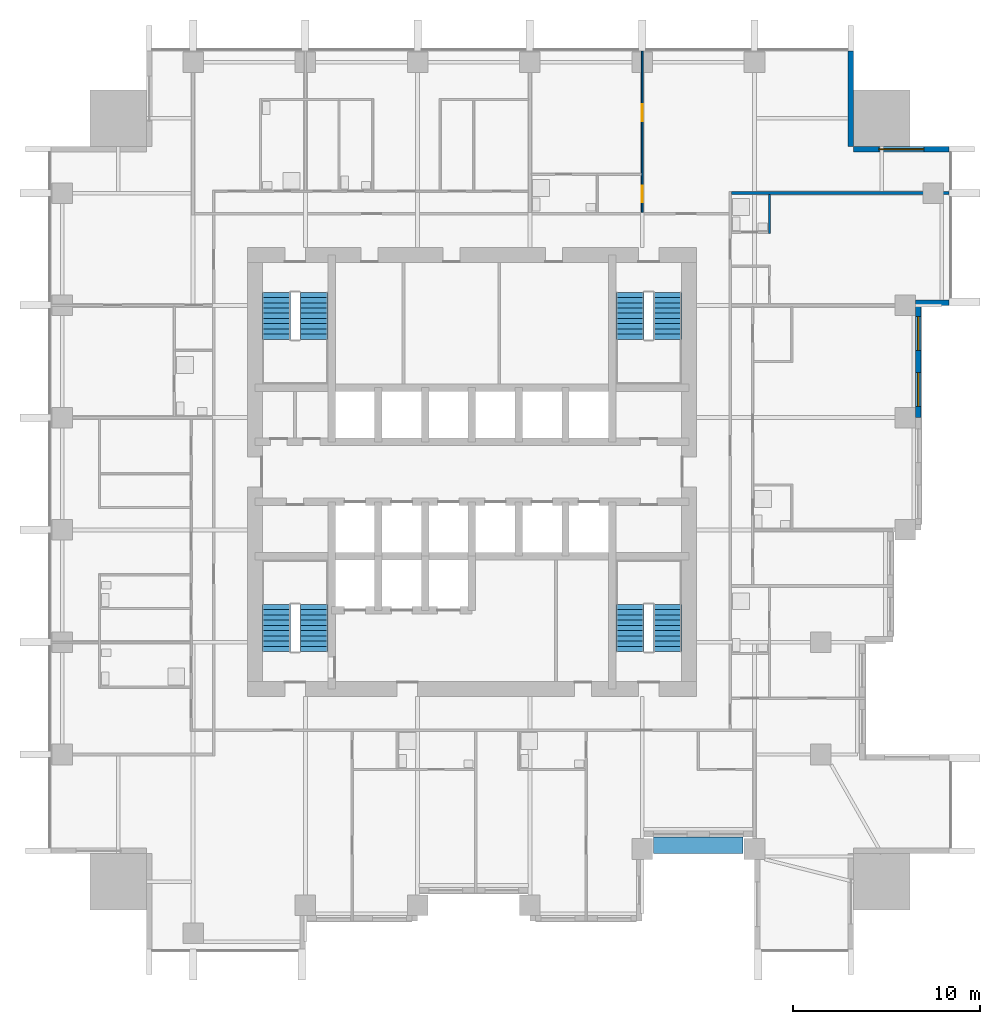
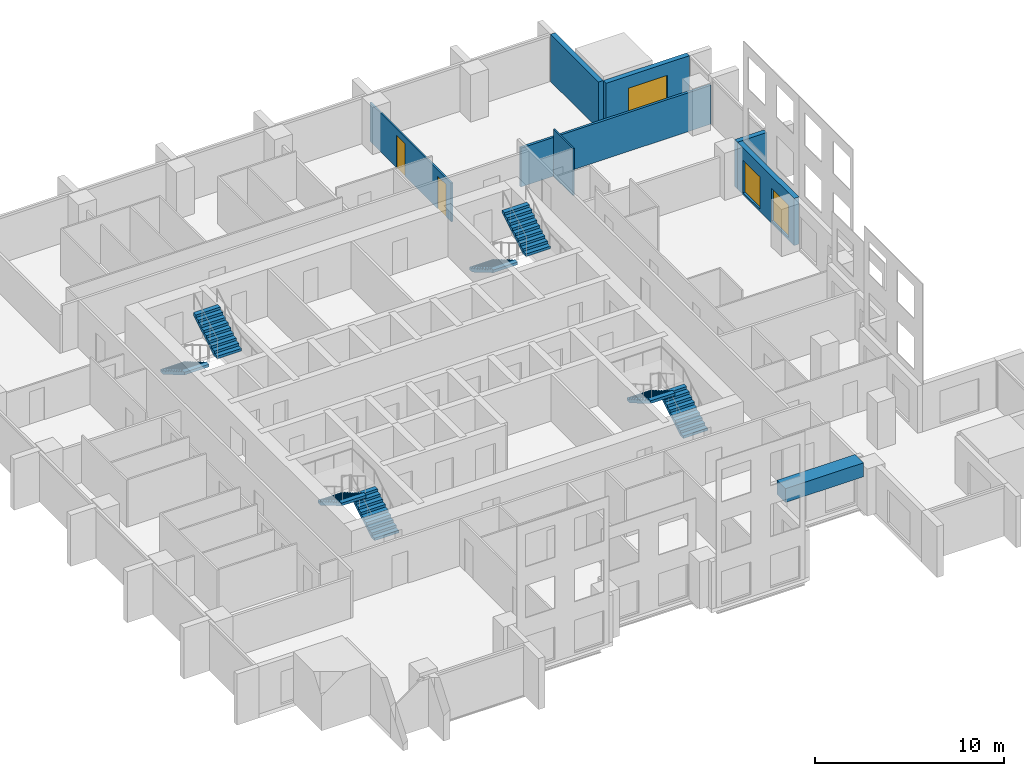
# One storey, part 8 of 11: 8 stair flights, 7 walls, 3 windows, 2 doors, 1 discrete accessory, 5 openings, 4 elements without a shape of their own.
"""IFC4 building model written with IfcOpenShell, lengths in metres."""

from ifc_helpers import new_model, si_unit, direction, frame, frame_2d, origin, origin_2d, place, context, subcontext, project, spatial, polyline, rectangle, outline, extrude, material, layer, layer_set, type_object, element, fill, aggregate, save


model = new_model("IFC4")

# Units and contexts
model_context = context("Model", 3, precision=1e-05, world=origin(), true_north=direction((0.0, 1.0)))
body_context = subcontext(model_context, "Body", "Model", "MODEL_VIEW")
ifc_project = project(units=[si_unit("LENGTHUNIT", "METRE"), si_unit("AREAUNIT", "SQUARE_METRE"), si_unit("VOLUMEUNIT", "CUBIC_METRE"), si_unit("PLANEANGLEUNIT", "RADIAN"), si_unit("MASSUNIT", "GRAM", prefix="KILO")], contexts=[model_context])

# Site, building, storey
site_placement = place(None, origin())
site = spatial("IfcSite", under=ifc_project, at=site_placement, CompositionType="ELEMENT")
building_placement = place(site_placement, origin())
building = spatial("IfcBuilding", under=site, at=building_placement, Name="Amberfall Residences", CompositionType="ELEMENT")
storey_placement = place(building_placement, frame((0.0, 0.0, 115.0)))
storey = spatial("IfcBuildingStorey", under=building, at=storey_placement, Name="L31", CompositionType="ELEMENT", Elevation=115.0)

# Wall
ifc_material_1 = material(Name="Pale stone cladding on insulated backing", Category="masonry")
ifc_layer_1 = layer(ifc_material_1, 0.300048828125)
ifc_layer_set_1 = layer_set([ifc_layer_1], Name="Bronze clad wall 300")
wall_type_1 = type_object("IfcWallType", Name="Bronze clad wall 300", PredefinedType="SOLIDWALL", material=ifc_layer_set_1)
wall_1_placement = place(storey_placement, frame((98.199951171875, 54.550048828125, 0.0), z_axis=(0.0, 0.0, 1.0), x_axis=(1.0, 0.0, 0.0)))
element("IfcWall", 1, at=wall_1_placement, inside=storey, type_object=wall_type_1, Name="External wall L31 E", PredefinedType="SOLIDWALL", context=body_context, shape_type="SweptSolid", body=[
    extrude(rectangle(XDim=1.800048828125, YDim=0.300048828125, at=frame_2d((0.89990234375, 0.0))), origin(), (0.0, 0.0, 1.0), 3.050048828125),
])

# Wall, opening, window
wall_2_placement = place(storey_placement, frame((100.0, 62.75, 0.0), z_axis=(0.0, 0.0, 1.0), x_axis=(-1.0, 0.0, 0.0)))
wall_2 = element("IfcWall", 2, at=wall_2_placement, inside=storey, type_object=wall_type_1, Name="External wall L31 NE", PredefinedType="SOLIDWALL", context=body_context, shape_type="SweptSolid", body=[
    extrude(rectangle(XDim=5.10009765625, YDim=0.300048828125, at=frame_2d((2.550048828125, 0.0))), origin(), (0.0, 0.0, 1.0), 3.050048828125),
])
opening_1_placement = place(wall_2_placement, frame((1.35009765625, 0.0, 0.14990234375)))
opening_1 = element("IfcOpeningElement", 3, at=opening_1_placement, cuts=wall_2, Name="Opening WN5", PredefinedType="OPENING", context=body_context, shape_type="SweptSolid", body=[
    extrude(rectangle(XDim=2.39990234375, YDim=2.10009765625, at=frame_2d((1.199951171875, 1.050048828125))), frame((0.0, 0.159912109375, 0.0), z_axis=(0.0, -1.0, 0.0), x_axis=(1.0, 0.0, 0.0)), (0.0, 0.0, 1.0), 0.320068359375),
])
ifc_material_2 = material(Name="Bronze aluminium framed glazing", Category="aluminium")
window_type_1 = type_object("IfcWindowType", Name="Glazed opening 2400 x 2100 bronze", PartitioningType="DOUBLE_PANEL_VERTICAL", PredefinedType="WINDOW", material=ifc_material_2)
window_1_placement = place(opening_1_placement, origin())
window_1 = element("IfcWindow", 4, at=window_1_placement, inside=storey, type_object=window_type_1, Name="Window L31 NE", OverallHeight=2.10009765625, OverallWidth=2.39990234375, PartitioningType="DOUBLE_PANEL_VERTICAL", PredefinedType="WINDOW", context=body_context, shape_type="SweptSolid", body=[
    extrude(rectangle(XDim=2.39990234375, YDim=2.10009765625, at=frame_2d((1.199951171875, 1.050048828125))), frame((0.0, 0.030029296875, 0.0), z_axis=(0.0, -1.0, 0.0), x_axis=(1.0, 0.0, 0.0)), (0.0, 0.0, 1.0), 0.06005859375),
])
fill(opening_1, window_1)

# Wall
wall_3_placement = place(storey_placement, frame((94.75, 62.89990234375, 0.0), z_axis=(0.0, 0.0, 1.0), x_axis=(0.0, 1.0, 0.0)))
element("IfcWall", 5, at=wall_3_placement, inside=storey, type_object=wall_type_1, Name="External wall L31 NE", PredefinedType="SOLIDWALL", context=body_context, shape_type="SweptSolid", body=[
    extrude(rectangle(XDim=5.10009765625, YDim=0.300048828125, at=frame_2d((2.550048828125, 0.0))), origin(), (0.0, 0.0, 1.0), 3.050048828125),
])

# Wall, openings, windows
wall_4_placement = place(storey_placement, frame((98.35009765625, 48.39990234375, 0.0), z_axis=(0.0, 0.0, 1.0), x_axis=(0.0, 1.0, 0.0)))
wall_4 = element("IfcWall", 6, at=wall_4_placement, inside=storey, type_object=wall_type_1, Name="Stone wall L31 E", PredefinedType="SOLIDWALL", context=body_context, shape_type="SweptSolid", body=[
    extrude(rectangle(XDim=6.0, YDim=0.300048828125, at=frame_2d((3.0, 0.0))), origin(), (0.0, 0.0, 1.0), 3.050048828125),
])
opening_2_placement = place(wall_4_placement, frame((0.60009765625, 0.0, 0.14990234375)))
opening_2 = element("IfcOpeningElement", 7, at=opening_2_placement, cuts=wall_4, Name="Opening WN6", PredefinedType="OPENING", context=body_context, shape_type="SweptSolid", body=[
    extrude(rectangle(XDim=1.800048828125, YDim=2.10009765625, at=frame_2d((0.89990234375, 1.050048828125))), frame((0.0, 0.159912109375, 0.0), z_axis=(0.0, -1.0, 0.0), x_axis=(1.0, 0.0, 0.0)), (0.0, 0.0, 1.0), 0.320068359375),
])
opening_3_placement = place(wall_4_placement, frame((3.60009765625, 0.0, 0.14990234375)))
opening_3 = element("IfcOpeningElement", 8, at=opening_3_placement, cuts=wall_4, Name="Opening WN6", PredefinedType="OPENING", context=body_context, shape_type="SweptSolid", body=[
    extrude(rectangle(XDim=1.800048828125, YDim=2.10009765625, at=frame_2d((0.89990234375, 1.050048828125))), frame((0.0, 0.159912109375, 0.0), z_axis=(0.0, -1.0, 0.0), x_axis=(1.0, 0.0, 0.0)), (0.0, 0.0, 1.0), 0.320068359375),
])
window_type_2 = type_object("IfcWindowType", Name="Glazed opening 1800 x 2100 bronze", PartitioningType="DOUBLE_PANEL_VERTICAL", PredefinedType="WINDOW", material=ifc_material_2)
window_2_placement = place(opening_2_placement, origin())
window_2 = element("IfcWindow", 9, at=window_2_placement, inside=storey, type_object=window_type_2, Name="Window L31 E", OverallHeight=2.10009765625, OverallWidth=1.800048828125, PartitioningType="DOUBLE_PANEL_VERTICAL", PredefinedType="WINDOW", context=body_context, shape_type="SweptSolid", body=[
    extrude(rectangle(XDim=1.800048828125, YDim=2.10009765625, at=frame_2d((0.89990234375, 1.050048828125))), frame((0.0, 0.030029296875, 0.0), z_axis=(0.0, -1.0, 0.0), x_axis=(1.0, 0.0, 0.0)), (0.0, 0.0, 1.0), 0.06005859375),
])
fill(opening_2, window_2)
window_3_placement = place(opening_3_placement, origin())
window_3 = element("IfcWindow", 10, at=window_3_placement, inside=storey, type_object=window_type_2, Name="Window L31 E", OverallHeight=2.10009765625, OverallWidth=1.800048828125, PartitioningType="DOUBLE_PANEL_VERTICAL", PredefinedType="WINDOW", context=body_context, shape_type="SweptSolid", body=[
    extrude(rectangle(XDim=1.800048828125, YDim=2.10009765625, at=frame_2d((0.89990234375, 1.050048828125))), frame((0.0, 0.030029296875, 0.0), z_axis=(0.0, -1.0, 0.0), x_axis=(1.0, 0.0, 0.0)), (0.0, 0.0, 1.0), 0.06005859375),
])
fill(opening_3, window_3)

# Wall, openings, doors
ifc_material_3 = material(Name="Gypsum board on metal stud")
ifc_layer_2 = layer(ifc_material_3, 0.10009765625)
ifc_layer_set_2 = layer_set([ifc_layer_2], Name="Flat partition 100")
wall_type_2 = type_object("IfcWallType", Name="Flat partition 100", PredefinedType="PARTITIONING", material=ifc_layer_set_2)
wall_5_placement = place(storey_placement, frame((83.60009765625, 59.375, 0.0), z_axis=(0.0, 0.0, 1.0), x_axis=(0.0, 1.0, 0.0)))
wall_5 = element("IfcWall", 11, at=wall_5_placement, inside=storey, type_object=wall_type_2, Name="Partition 017", PredefinedType="PARTITIONING", context=body_context, shape_type="SweptSolid", body=[
    extrude(rectangle(XDim=8.625, YDim=0.10009765625, at=frame_2d((4.3125, 0.0))), origin(), (0.0, 0.0, 1.0), 2.51611328125),
])
opening_4_placement = place(wall_5_placement, frame((0.52490234375, 0.0, 0.0)))
opening_4 = element("IfcOpeningElement", 12, at=opening_4_placement, cuts=wall_5, Name="Opening D41", PredefinedType="OPENING", context=body_context, shape_type="SweptSolid", body=[
    extrude(rectangle(XDim=0.89990234375, YDim=2.10009765625, at=frame_2d((0.449951171875, 1.050048828125))), frame((0.0, 0.06005859375, 0.0), z_axis=(0.0, -1.0, 0.0), x_axis=(1.0, 0.0, 0.0)), (0.0, 0.0, 1.0), 0.1201171875),
])
opening_5_placement = place(wall_5_placement, frame((4.875, 0.0, 0.0)))
opening_5 = element("IfcOpeningElement", 13, at=opening_5_placement, cuts=wall_5, Name="Opening D41", PredefinedType="OPENING", context=body_context, shape_type="SweptSolid", body=[
    extrude(rectangle(XDim=0.89990234375, YDim=2.10009765625, at=frame_2d((0.449951171875, 1.050048828125))), frame((0.0, 0.06005859375, 0.0), z_axis=(0.0, -1.0, 0.0), x_axis=(1.0, 0.0, 0.0)), (0.0, 0.0, 1.0), 0.1201171875),
])
ifc_material_4 = material(Name="Timber", Category="wood")
door_type = type_object("IfcDoorType", Name="Internal door 900 x 2100", OperationType="SINGLE_SWING_LEFT", PredefinedType="DOOR", material=ifc_material_4)
door_1_placement = place(opening_4_placement, origin())
door_1 = element("IfcDoor", 14, at=door_1_placement, inside=storey, type_object=door_type, Name="Door 3107 kitchen", OperationType="SINGLE_SWING_LEFT", OverallHeight=2.10009765625, OverallWidth=0.89990234375, PredefinedType="DOOR", context=body_context, shape_type="SweptSolid", body=[
    extrude(rectangle(XDim=0.89990234375, YDim=2.10009765625, at=frame_2d((0.449951171875, 1.050048828125))), frame((0.0, 0.02490234375, 0.0), z_axis=(0.0, -1.0, 0.0), x_axis=(1.0, 0.0, 0.0)), (0.0, 0.0, 1.0), 0.050048828125),
])
fill(opening_4, door_1)
door_2_placement = place(opening_5_placement, origin())
door_2 = element("IfcDoor", 15, at=door_2_placement, inside=storey, type_object=door_type, Name="Door 3107 bedroom1", OperationType="SINGLE_SWING_LEFT", OverallHeight=2.10009765625, OverallWidth=0.89990234375, PredefinedType="DOOR", context=body_context, shape_type="SweptSolid", body=[
    extrude(rectangle(XDim=0.89990234375, YDim=2.10009765625, at=frame_2d((0.449951171875, 1.050048828125))), frame((0.0, 0.02490234375, 0.0), z_axis=(0.0, -1.0, 0.0), x_axis=(1.0, 0.0, 0.0)), (0.0, 0.0, 1.0), 0.050048828125),
])
fill(opening_5, door_2)

# Walls
wall_6_placement = place(storey_placement, frame((90.39990234375, 58.25, 0.0), z_axis=(0.0, 0.0, 1.0), x_axis=(0.0, 1.0, 0.0)))
element("IfcWall", 16, at=wall_6_placement, inside=storey, type_object=wall_type_2, Name="Partition 022", PredefinedType="PARTITIONING", context=body_context, shape_type="SweptSolid", body=[
    extrude(rectangle(XDim=2.074951171875, YDim=0.10009765625, at=frame_2d((1.03759765625, 0.0))), origin(), (0.0, 0.0, 1.0), 3.050048828125),
])
ifc_material_5 = material(Name="Blockwork, plastered", Category="masonry")
ifc_layer_3 = layer(ifc_material_5, 0.14990234375)
ifc_layer_set_3 = layer_set([ifc_layer_3], Name="Flat separating wall 150")
wall_type_3 = type_object("IfcWallType", Name="Flat separating wall 150", PredefinedType="PARTITIONING", material=ifc_layer_set_3)
wall_7_placement = place(storey_placement, frame((88.375, 60.39990234375, 0.0), z_axis=(0.0, 0.0, 1.0), x_axis=(1.0, 0.0, 0.0)))
element("IfcWall", 17, at=wall_7_placement, inside=storey, type_object=wall_type_3, Name="Separating wall 054", PredefinedType="PARTITIONING", context=body_context, shape_type="SweptSolid", body=[
    extrude(rectangle(XDim=11.625, YDim=0.14990234375, at=frame_2d((5.8125, 0.0))), origin(), (0.0, 0.0, 1.0), 2.51611328125),
])

# Stair, stair flights
ifc_material_6 = material(Name="Concrete C40", Category="concrete")
stair_type = type_object("IfcStairType", Name="Exit stair 20 risers 165.0 mm", PredefinedType="HALF_TURN_STAIR", material=ifc_material_6)
stair_1_placement = place(storey_placement, origin())
stair_1 = element("IfcStair", 18, at=stair_1_placement, inside=storey, type_object=stair_type, Name="L31 Exit stair 1", PredefinedType="HALF_TURN_STAIR")
stair_flight_type = type_object("IfcStairFlightType", Name="Stair flight 10 risers 165.0 mm", PredefinedType="STRAIGHT", material=ifc_material_6)
stair_flight_1_placement = place(storey_placement, frame((66.050048828125, 35.89990234375, 0.0), z_axis=(0.0, 0.0, 1.0), x_axis=(0.0, 1.0, 0.0)))
stair_flight_1 = element("IfcStairFlight", 19, at=stair_flight_1_placement, type_object=stair_flight_type, Name="ST3 flight 1", NumberOfRisers=10, NumberOfTreads=9, PredefinedType="STRAIGHT", RiserHeight=0.165, TreadLength=0.28, context=body_context, shape_type="SweptSolid", body=[
    extrude(outline(polyline([(0.0, 0.0), (0.0, 0.1650390625), (0.280029296875, 0.1650390625), (0.280029296875, 0.330078125), (0.56005859375, 0.330078125), (0.56005859375, 0.4951171875), (0.840087890625, 0.4951171875), (0.840087890625, 0.659912109375), (1.1201171875, 0.659912109375), (1.1201171875, 0.824951171875), (1.39990234375, 0.824951171875), (1.39990234375, 0.989990234375), (1.679931640625, 0.989990234375), (1.679931640625, 1.155029296875), (1.9599609375, 1.155029296875), (1.9599609375, 1.320068359375), (2.239990234375, 1.320068359375), (2.239990234375, 1.485107421875), (2.52001953125, 1.485107421875), (2.52001953125, 1.64990234375), (2.52001953125, 1.31103515625), (0.295166015625, 0.0), (0.0, 0.0)])), frame((0.0, 0.75, 0.0), z_axis=(0.0, -1.0, 0.0), x_axis=(1.0, 0.0, 0.0)), (0.0, 0.0, 1.0), 1.5),
])
stair_flight_2_placement = place(storey_placement, frame((64.050048828125, 38.419921875, 1.64990234375), z_axis=(0.0, 0.0, 1.0), x_axis=(0.0, -1.0, 0.0)))
stair_flight_2 = element("IfcStairFlight", 20, at=stair_flight_2_placement, type_object=stair_flight_type, Name="ST3 flight 2", NumberOfRisers=10, NumberOfTreads=9, PredefinedType="STRAIGHT", RiserHeight=0.165, TreadLength=0.28, context=body_context, shape_type="SweptSolid", body=[
    extrude(outline(polyline([(0.0, 0.0), (0.0, 0.1650390625), (0.280029296875, 0.1650390625), (0.280029296875, 0.330078125), (0.56005859375, 0.330078125), (0.56005859375, 0.4951171875), (0.840087890625, 0.4951171875), (0.840087890625, 0.659912109375), (1.1201171875, 0.659912109375), (1.1201171875, 0.824951171875), (1.39990234375, 0.824951171875), (1.39990234375, 0.989990234375), (1.679931640625, 0.989990234375), (1.679931640625, 1.155029296875), (1.9599609375, 1.155029296875), (1.9599609375, 1.320068359375), (2.239990234375, 1.320068359375), (2.239990234375, 1.485107421875), (2.52001953125, 1.485107421875), (2.52001953125, 1.64990234375), (2.52001953125, 1.31103515625), (0.295166015625, 0.0), (0.0, 0.0)])), frame((0.0, 0.75, 0.0), z_axis=(0.0, -1.0, 0.0), x_axis=(1.0, 0.0, 0.0)), (0.0, 0.0, 1.0), 1.5),
])
aggregate(stair_1, [stair_flight_1, stair_flight_2])

stair_2_placement = place(storey_placement, origin())
stair_2 = element("IfcStair", 21, at=stair_2_placement, inside=storey, type_object=stair_type, Name="L31 Exit stair 2", PredefinedType="HALF_TURN_STAIR")
stair_flight_3_placement = place(storey_placement, frame((84.949951171875, 35.89990234375, 0.0), z_axis=(0.0, 0.0, 1.0), x_axis=(0.0, 1.0, 0.0)))
stair_flight_3 = element("IfcStairFlight", 22, at=stair_flight_3_placement, type_object=stair_flight_type, Name="ST3 flight 1", NumberOfRisers=10, NumberOfTreads=9, PredefinedType="STRAIGHT", RiserHeight=0.165, TreadLength=0.28, context=body_context, shape_type="SweptSolid", body=[
    extrude(outline(polyline([(0.0, 0.0), (0.0, 0.1650390625), (0.280029296875, 0.1650390625), (0.280029296875, 0.330078125), (0.56005859375, 0.330078125), (0.56005859375, 0.4951171875), (0.840087890625, 0.4951171875), (0.840087890625, 0.659912109375), (1.1201171875, 0.659912109375), (1.1201171875, 0.824951171875), (1.39990234375, 0.824951171875), (1.39990234375, 0.989990234375), (1.679931640625, 0.989990234375), (1.679931640625, 1.155029296875), (1.9599609375, 1.155029296875), (1.9599609375, 1.320068359375), (2.239990234375, 1.320068359375), (2.239990234375, 1.485107421875), (2.52001953125, 1.485107421875), (2.52001953125, 1.64990234375), (2.52001953125, 1.31103515625), (0.295166015625, 0.0), (0.0, 0.0)])), frame((0.0, 0.75, 0.0), z_axis=(0.0, -1.0, 0.0), x_axis=(1.0, 0.0, 0.0)), (0.0, 0.0, 1.0), 1.5),
])
stair_flight_4_placement = place(storey_placement, frame((82.949951171875, 38.419921875, 1.64990234375), z_axis=(0.0, 0.0, 1.0), x_axis=(0.0, -1.0, 0.0)))
stair_flight_4 = element("IfcStairFlight", 23, at=stair_flight_4_placement, type_object=stair_flight_type, Name="ST3 flight 2", NumberOfRisers=10, NumberOfTreads=9, PredefinedType="STRAIGHT", RiserHeight=0.165, TreadLength=0.28, context=body_context, shape_type="SweptSolid", body=[
    extrude(outline(polyline([(0.0, 0.0), (0.0, 0.1650390625), (0.280029296875, 0.1650390625), (0.280029296875, 0.330078125), (0.56005859375, 0.330078125), (0.56005859375, 0.4951171875), (0.840087890625, 0.4951171875), (0.840087890625, 0.659912109375), (1.1201171875, 0.659912109375), (1.1201171875, 0.824951171875), (1.39990234375, 0.824951171875), (1.39990234375, 0.989990234375), (1.679931640625, 0.989990234375), (1.679931640625, 1.155029296875), (1.9599609375, 1.155029296875), (1.9599609375, 1.320068359375), (2.239990234375, 1.320068359375), (2.239990234375, 1.485107421875), (2.52001953125, 1.485107421875), (2.52001953125, 1.64990234375), (2.52001953125, 1.31103515625), (0.295166015625, 0.0), (0.0, 0.0)])), frame((0.0, 0.75, 0.0), z_axis=(0.0, -1.0, 0.0), x_axis=(1.0, 0.0, 0.0)), (0.0, 0.0, 1.0), 1.5),
])
aggregate(stair_2, [stair_flight_3, stair_flight_4])

stair_3_placement = place(storey_placement, origin())
stair_3 = element("IfcStair", 24, at=stair_3_placement, inside=storey, type_object=stair_type, Name="L31 Exit stair 3", PredefinedType="HALF_TURN_STAIR")
stair_flight_5_placement = place(storey_placement, frame((82.949951171875, 55.10009765625, 0.0), z_axis=(0.0, 0.0, 1.0), x_axis=(0.0, -1.0, 0.0)))
stair_flight_5 = element("IfcStairFlight", 25, at=stair_flight_5_placement, type_object=stair_flight_type, Name="ST3 flight 1", NumberOfRisers=10, NumberOfTreads=9, PredefinedType="STRAIGHT", RiserHeight=0.165, TreadLength=0.28, context=body_context, shape_type="SweptSolid", body=[
    extrude(outline(polyline([(0.0, 0.0), (0.0, 0.1650390625), (0.280029296875, 0.1650390625), (0.280029296875, 0.330078125), (0.56005859375, 0.330078125), (0.56005859375, 0.4951171875), (0.840087890625, 0.4951171875), (0.840087890625, 0.659912109375), (1.1201171875, 0.659912109375), (1.1201171875, 0.824951171875), (1.39990234375, 0.824951171875), (1.39990234375, 0.989990234375), (1.679931640625, 0.989990234375), (1.679931640625, 1.155029296875), (1.9599609375, 1.155029296875), (1.9599609375, 1.320068359375), (2.239990234375, 1.320068359375), (2.239990234375, 1.485107421875), (2.52001953125, 1.485107421875), (2.52001953125, 1.64990234375), (2.52001953125, 1.31103515625), (0.295166015625, 0.0), (0.0, 0.0)])), frame((0.0, 0.75, 0.0), z_axis=(0.0, -1.0, 0.0), x_axis=(1.0, 0.0, 0.0)), (0.0, 0.0, 1.0), 1.5),
])
stair_flight_6_placement = place(storey_placement, frame((84.949951171875, 52.580078125, 1.64990234375), z_axis=(0.0, 0.0, 1.0), x_axis=(0.0, 1.0, 0.0)))
stair_flight_6 = element("IfcStairFlight", 26, at=stair_flight_6_placement, type_object=stair_flight_type, Name="ST3 flight 2", NumberOfRisers=10, NumberOfTreads=9, PredefinedType="STRAIGHT", RiserHeight=0.165, TreadLength=0.28, context=body_context, shape_type="SweptSolid", body=[
    extrude(outline(polyline([(0.0, 0.0), (0.0, 0.1650390625), (0.280029296875, 0.1650390625), (0.280029296875, 0.330078125), (0.56005859375, 0.330078125), (0.56005859375, 0.4951171875), (0.840087890625, 0.4951171875), (0.840087890625, 0.659912109375), (1.1201171875, 0.659912109375), (1.1201171875, 0.824951171875), (1.39990234375, 0.824951171875), (1.39990234375, 0.989990234375), (1.679931640625, 0.989990234375), (1.679931640625, 1.155029296875), (1.9599609375, 1.155029296875), (1.9599609375, 1.320068359375), (2.239990234375, 1.320068359375), (2.239990234375, 1.485107421875), (2.52001953125, 1.485107421875), (2.52001953125, 1.64990234375), (2.52001953125, 1.31103515625), (0.295166015625, 0.0), (0.0, 0.0)])), frame((0.0, 0.75, 0.0), z_axis=(0.0, -1.0, 0.0), x_axis=(1.0, 0.0, 0.0)), (0.0, 0.0, 1.0), 1.5),
])
aggregate(stair_3, [stair_flight_5, stair_flight_6])

stair_4_placement = place(storey_placement, origin())
stair_4 = element("IfcStair", 27, at=stair_4_placement, inside=storey, type_object=stair_type, Name="L31 Exit stair 4", PredefinedType="HALF_TURN_STAIR")
stair_flight_7_placement = place(storey_placement, frame((64.050048828125, 55.10009765625, 0.0), z_axis=(0.0, 0.0, 1.0), x_axis=(0.0, -1.0, 0.0)))
stair_flight_7 = element("IfcStairFlight", 28, at=stair_flight_7_placement, type_object=stair_flight_type, Name="ST3 flight 1", NumberOfRisers=10, NumberOfTreads=9, PredefinedType="STRAIGHT", RiserHeight=0.165, TreadLength=0.28, context=body_context, shape_type="SweptSolid", body=[
    extrude(outline(polyline([(0.0, 0.0), (0.0, 0.1650390625), (0.280029296875, 0.1650390625), (0.280029296875, 0.330078125), (0.56005859375, 0.330078125), (0.56005859375, 0.4951171875), (0.840087890625, 0.4951171875), (0.840087890625, 0.659912109375), (1.1201171875, 0.659912109375), (1.1201171875, 0.824951171875), (1.39990234375, 0.824951171875), (1.39990234375, 0.989990234375), (1.679931640625, 0.989990234375), (1.679931640625, 1.155029296875), (1.9599609375, 1.155029296875), (1.9599609375, 1.320068359375), (2.239990234375, 1.320068359375), (2.239990234375, 1.485107421875), (2.52001953125, 1.485107421875), (2.52001953125, 1.64990234375), (2.52001953125, 1.31103515625), (0.295166015625, 0.0), (0.0, 0.0)])), frame((0.0, 0.75, 0.0), z_axis=(0.0, -1.0, 0.0), x_axis=(1.0, 0.0, 0.0)), (0.0, 0.0, 1.0), 1.5),
])
stair_flight_8_placement = place(storey_placement, frame((66.050048828125, 52.580078125, 1.64990234375), z_axis=(0.0, 0.0, 1.0), x_axis=(0.0, 1.0, 0.0)))
stair_flight_8 = element("IfcStairFlight", 29, at=stair_flight_8_placement, type_object=stair_flight_type, Name="ST3 flight 2", NumberOfRisers=10, NumberOfTreads=9, PredefinedType="STRAIGHT", RiserHeight=0.165, TreadLength=0.28, context=body_context, shape_type="SweptSolid", body=[
    extrude(outline(polyline([(0.0, 0.0), (0.0, 0.1650390625), (0.280029296875, 0.1650390625), (0.280029296875, 0.330078125), (0.56005859375, 0.330078125), (0.56005859375, 0.4951171875), (0.840087890625, 0.4951171875), (0.840087890625, 0.659912109375), (1.1201171875, 0.659912109375), (1.1201171875, 0.824951171875), (1.39990234375, 0.824951171875), (1.39990234375, 0.989990234375), (1.679931640625, 0.989990234375), (1.679931640625, 1.155029296875), (1.9599609375, 1.155029296875), (1.9599609375, 1.320068359375), (2.239990234375, 1.320068359375), (2.239990234375, 1.485107421875), (2.52001953125, 1.485107421875), (2.52001953125, 1.64990234375), (2.52001953125, 1.31103515625), (0.295166015625, 0.0), (0.0, 0.0)])), frame((0.0, 0.75, 0.0), z_axis=(0.0, -1.0, 0.0), x_axis=(1.0, 0.0, 0.0)), (0.0, 0.0, 1.0), 1.5),
])
aggregate(stair_4, [stair_flight_7, stair_flight_8])

# Discrete accessory
discrete_accessory_placement = place(storey_placement, frame((86.60009765625, 25.550048828125, 2.400146484375), z_axis=(0.0, 0.0, 1.0), x_axis=(1.0, 0.0, 0.0)))
element("IfcDiscreteAccessory", 30, at=discrete_accessory_placement, inside=storey, Name="Planter box L32 S9", ObjectType="PLANTER BOX", PredefinedType="USERDEFINED", context=body_context, shape_type="SweptSolid", body=[
    extrude(rectangle(XDim=4.780029296875, YDim=0.89990234375, at=origin_2d()), origin(), (0.0, 0.0, 1.0), 0.89990234375),
])

save(model, "model.ifc")
